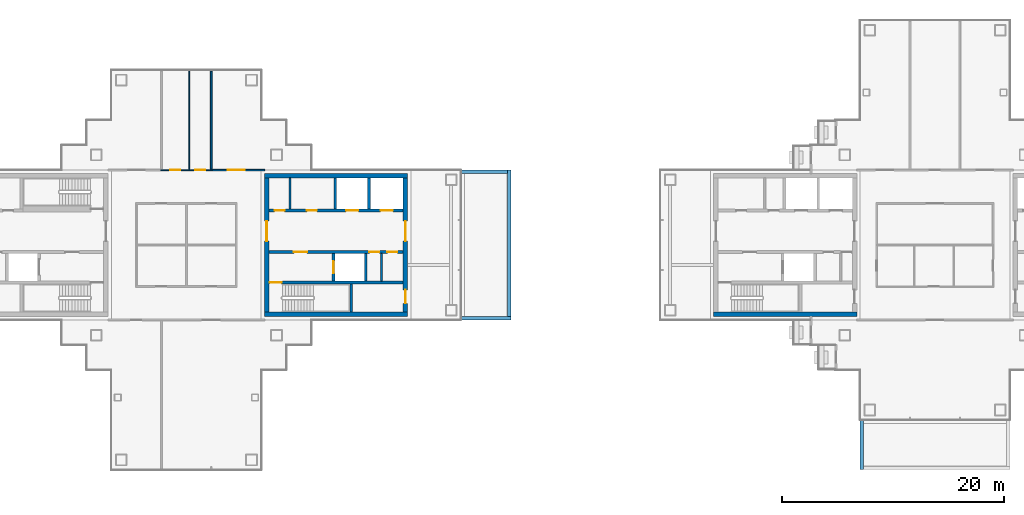
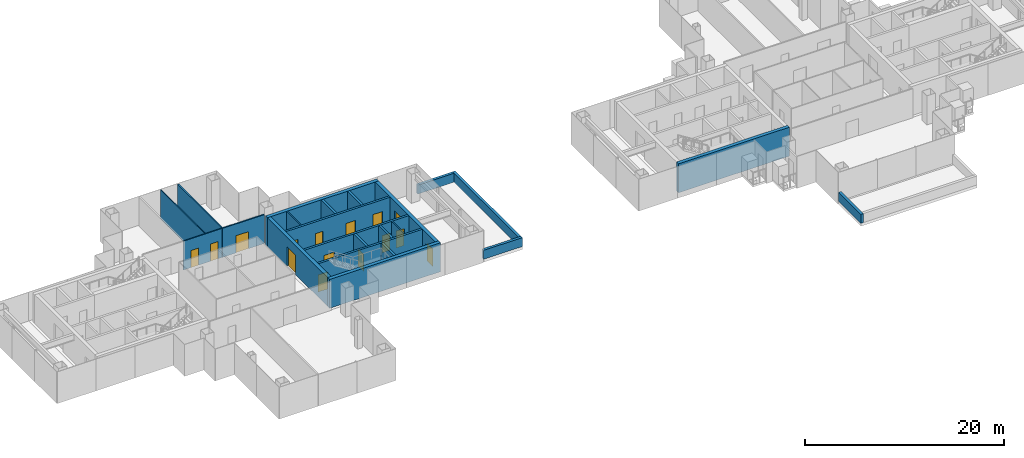
# One storey, part 10 of 16: 23 walls, 15 doors, 15 openings.
"""IFC4 building model written with IfcOpenShell, lengths in metres."""

from ifc_helpers import new_model, si_unit, direction, frame, frame_2d, origin, place, context, subcontext, project, spatial, rectangle, extrude, material, layer, layer_set, type_object, element, fill, save


model = new_model("IFC4")

# Units and contexts
model_context = context("Model", 3, precision=1e-05, world=origin(), true_north=direction((0.0, 1.0)))
body_context = subcontext(model_context, "Body", "Model", "MODEL_VIEW")
ifc_project = project(units=[si_unit("LENGTHUNIT", "METRE"), si_unit("AREAUNIT", "SQUARE_METRE"), si_unit("VOLUMEUNIT", "CUBIC_METRE"), si_unit("PLANEANGLEUNIT", "RADIAN"), si_unit("MASSUNIT", "GRAM", prefix="KILO")], contexts=[model_context])

# Site, building, storey
site_placement = place(None, origin())
site = spatial("IfcSite", under=ifc_project, at=site_placement, CompositionType="ELEMENT")
building_placement = place(site_placement, origin())
building = spatial("IfcBuilding", under=site, at=building_placement, Name="Shamsa Quay Exchange Towers", CompositionType="ELEMENT")
storey_placement = place(building_placement, frame((0.0, 0.0, 182.699951171875)))
storey = spatial("IfcBuildingStorey", under=building, at=storey_placement, Name="L43", CompositionType="ELEMENT", Elevation=182.699951171875)

# Walls
ifc_material_1 = material(Name="Concrete C60/75", Category="concrete")
ifc_layer_1 = layer(ifc_material_1, 0.39990234375)
ifc_layer_set_1 = layer_set([ifc_layer_1], Name="CORE WALL 400 C60/75")
wall_type_1 = type_object("IfcWallType", Name="CORE WALL 400 C60/75", PredefinedType="SHEAR", material=ifc_layer_set_1)
for number, where, name in (
    (1, (-26.699951171875, -6.25, 0.0), "Core wall T1A-R20-PS"),
    (2, (-26.699951171875, 6.25, 0.0), "Core wall T1A-R20-PN"),
):
    element("IfcWall", number, at=place(storey_placement, frame(where)), inside=storey, type_object=wall_type_1, Name=name, PredefinedType="SHEAR", context=body_context, shape_type="SweptSolid", body=[
        extrude(rectangle(XDim=12.89990234375, YDim=0.39990234375, at=frame_2d((6.449951171875, 0.0))), origin(), (0.0, 0.0, 1.0), 3.550048828125),
    ])

# Wall, opening, door
wall_1_placement = place(storey_placement, frame((-26.5, 6.050048828125, 0.0), z_axis=(0.0, 0.0, 1.0), x_axis=(0.0, -1.0, 0.0)))
wall_1 = element("IfcWall", 3, at=wall_1_placement, inside=storey, type_object=wall_type_1, Name="Core wall T1A-R20-PF", PredefinedType="SHEAR", context=body_context, shape_type="SweptSolid", body=[
    extrude(rectangle(XDim=12.10009765625, YDim=0.39990234375, at=frame_2d((6.050048828125, 0.0))), origin(), (0.0, 0.0, 1.0), 3.550048828125),
])
opening_1_placement = place(wall_1_placement, frame((3.89990234375, 0.0, 0.0)))
opening_1 = element("IfcOpeningElement", 4, at=opening_1_placement, cuts=wall_1, Name="Opening T1A-R20-LBD01", PredefinedType="OPENING", context=body_context, shape_type="SweptSolid", body=[
    extrude(rectangle(XDim=1.800048828125, YDim=2.39990234375, at=frame_2d((0.89990234375, 1.199951171875))), frame((0.0, 0.2099609375, 0.0), z_axis=(0.0, -1.0, 0.0), x_axis=(1.0, 0.0, 0.0)), (0.0, 0.0, 1.0), 0.419921875),
])
ifc_material_2 = material(Name="Steel, fire rated", Category="steel")
door_type_1 = type_object("IfcDoorType", Name="LIFT LOBBY DOOR PAIR 1800", OperationType="DOUBLE_DOOR_SINGLE_SWING", PredefinedType="DOOR", material=ifc_material_2)
door_1_placement = place(opening_1_placement, origin())
door_1 = element("IfcDoor", 5, at=door_1_placement, inside=storey, type_object=door_type_1, Name="T1A-R20-LBD01", OperationType="DOUBLE_DOOR_SINGLE_SWING", OverallHeight=2.39990234375, OverallWidth=1.800048828125, PredefinedType="DOOR", context=body_context, shape_type="SweptSolid", body=[
    extrude(rectangle(XDim=1.800048828125, YDim=2.39990234375, at=frame_2d((0.89990234375, 1.199951171875))), frame((0.0, 0.02490234375, 0.0), z_axis=(0.0, -1.0, 0.0), x_axis=(1.0, 0.0, 0.0)), (0.0, 0.0, 1.0), 0.050048828125),
])
fill(opening_1, door_1)

# Wall, openings, doors
wall_2_placement = place(storey_placement, frame((-14.0, 6.050048828125, 0.0), z_axis=(0.0, 0.0, 1.0), x_axis=(0.0, -1.0, 0.0)))
wall_2 = element("IfcWall", 6, at=wall_2_placement, inside=storey, type_object=wall_type_1, Name="Core wall T1A-R20-PB", PredefinedType="SHEAR", context=body_context, shape_type="SweptSolid", body=[
    extrude(rectangle(XDim=12.10009765625, YDim=0.39990234375, at=frame_2d((6.050048828125, 0.0))), origin(), (0.0, 0.0, 1.0), 3.550048828125),
])
opening_2_placement = place(wall_2_placement, frame((10.10009765625, 0.0, 0.0)))
opening_2 = element("IfcOpeningElement", 7, at=opening_2_placement, cuts=wall_2, Name="Opening T1A-R20-RD02", PredefinedType="OPENING", context=body_context, shape_type="SweptSolid", body=[
    extrude(rectangle(XDim=1.199951171875, YDim=2.10009765625, at=frame_2d((0.60009765625, 1.050048828125))), frame((0.0, 0.2099609375, 0.0), z_axis=(0.0, -1.0, 0.0), x_axis=(1.0, 0.0, 0.0)), (0.0, 0.0, 1.0), 0.419921875),
])
opening_3_placement = place(wall_2_placement, frame((3.89990234375, 0.0, 0.0)))
opening_3 = element("IfcOpeningElement", 8, at=opening_3_placement, cuts=wall_2, Name="Opening T1A-R20-LBD03", PredefinedType="OPENING", context=body_context, shape_type="SweptSolid", body=[
    extrude(rectangle(XDim=1.800048828125, YDim=2.39990234375, at=frame_2d((0.89990234375, 1.199951171875))), frame((0.0, 0.2099609375, 0.0), z_axis=(0.0, -1.0, 0.0), x_axis=(1.0, 0.0, 0.0)), (0.0, 0.0, 1.0), 0.419921875),
])
door_2_placement = place(opening_3_placement, origin())
door_2 = element("IfcDoor", 9, at=door_2_placement, inside=storey, type_object=door_type_1, Name="T1A-R20-LBD03", OperationType="DOUBLE_DOOR_SINGLE_SWING", OverallHeight=2.39990234375, OverallWidth=1.800048828125, PredefinedType="DOOR", context=body_context, shape_type="SweptSolid", body=[
    extrude(rectangle(XDim=1.800048828125, YDim=2.39990234375, at=frame_2d((0.89990234375, 1.199951171875))), frame((0.0, 0.02490234375, 0.0), z_axis=(0.0, -1.0, 0.0), x_axis=(1.0, 0.0, 0.0)), (0.0, 0.0, 1.0), 0.050048828125),
])
fill(opening_3, door_2)
door_type_2 = type_object("IfcDoorType", Name="RISER ACCESS DOOR 1200", OperationType="SINGLE_SWING_LEFT", PredefinedType="DOOR", material=ifc_material_2)
door_3_placement = place(opening_2_placement, origin())
door_3 = element("IfcDoor", 10, at=door_3_placement, inside=storey, type_object=door_type_2, Name="T1A-R20-RD02", OperationType="SINGLE_SWING_RIGHT", OverallHeight=2.10009765625, OverallWidth=1.199951171875, PredefinedType="DOOR", context=body_context, shape_type="SweptSolid", body=[
    extrude(rectangle(XDim=1.199951171875, YDim=2.10009765625, at=frame_2d((0.60009765625, 1.050048828125))), frame((0.0, 0.02490234375, 0.0), z_axis=(0.0, -1.0, 0.0), x_axis=(1.0, 0.0, 0.0)), (0.0, 0.0, 1.0), 0.050048828125),
])
fill(opening_2, door_3)

# Walls
wall_3_placement = place(storey_placement, frame((13.800048828125, -6.25, 0.0)))
element("IfcWall", 11, at=wall_3_placement, inside=storey, type_object=wall_type_1, Name="Core wall T2A-R20-PS", PredefinedType="SHEAR", context=body_context, shape_type="SweptSolid", body=[
    extrude(rectangle(XDim=12.89990234375, YDim=0.39990234375, at=frame_2d((6.449951171875, 0.0))), origin(), (0.0, 0.0, 1.0), 3.550048828125),
])
ifc_material_3 = material(Name="Gypsum board on steel studs, EI 60", Category="steel")
ifc_layer_2 = layer(ifc_material_3, 0.14990234375)
ifc_layer_set_2 = layer_set([ifc_layer_2], Name="FIRE PARTITION 150")
wall_type_2 = type_object("IfcWallType", Name="FIRE PARTITION 150", PredefinedType="PARTITIONING", material=ifc_layer_set_2)
wall_4_placement = place(storey_placement, frame((-16.14990234375, -3.25, 0.0), z_axis=(0.0, 0.0, 1.0), x_axis=(0.0, 1.0, 0.0)))
element("IfcWall", 12, at=wall_4_placement, inside=storey, type_object=wall_type_2, Name="Partition T1A-R20-EC0", PredefinedType="PARTITIONING", context=body_context, shape_type="SweptSolid", body=[
    extrude(rectangle(XDim=2.5, YDim=0.14990234375, at=frame_2d((1.25, 0.0))), origin(), (0.0, 0.0, 1.0), 3.550048828125),
])
wall_5_placement = place(storey_placement, frame((-24.39990234375, 3.25, 0.0), z_axis=(0.0, 0.0, 1.0), x_axis=(0.0, 1.0, 0.0)))
element("IfcWall", 13, at=wall_5_placement, inside=storey, type_object=wall_type_2, Name="Partition T1A-R20-FC0", PredefinedType="PARTITIONING", context=body_context, shape_type="SweptSolid", body=[
    extrude(rectangle(XDim=2.800048828125, YDim=0.14990234375, at=frame_2d((1.39990234375, 0.0))), origin(), (0.0, 0.0, 1.0), 3.550048828125),
])

# Wall, openings, doors
ifc_material_4 = material(Name="Gypsum board partition on metal studs")
ifc_layer_3 = layer(ifc_material_4, 0.10009765625)
ifc_layer_set_3 = layer_set([ifc_layer_3], Name="Partition 100 mm NOT RATED")
wall_type_3 = type_object("IfcWallType", Name="Partition 100 mm NOT RATED", PredefinedType="PARTITIONING", material=ifc_layer_set_3)
wall_6_placement = place(storey_placement, frame((-36.074951171875, 6.75, 0.0)))
wall_6 = element("IfcWall", 14, at=wall_6_placement, inside=storey, type_object=wall_type_3, Name="Partition T1-R20-W07", PredefinedType="PARTITIONING", context=body_context, shape_type="SweptSolid", body=[
    extrude(rectangle(XDim=4.64990234375, YDim=0.10009765625, at=frame_2d((2.324951171875, 0.0))), origin(), (0.0, 0.0, 1.0), 3.550048828125),
])
opening_4_placement = place(wall_6_placement, frame((0.875, 0.0, 0.0)))
opening_4 = element("IfcOpeningElement", 15, at=opening_4_placement, cuts=wall_6, Name="Opening T1-R20-D04", PredefinedType="OPENING", context=body_context, shape_type="SweptSolid", body=[
    extrude(rectangle(XDim=0.89990234375, YDim=2.10009765625, at=frame_2d((0.449951171875, 1.050048828125))), frame((0.0, 0.06005859375, 0.0), z_axis=(0.0, -1.0, 0.0), x_axis=(1.0, 0.0, 0.0)), (0.0, 0.0, 1.0), 0.1201171875),
])
opening_5_placement = place(wall_6_placement, frame((3.125, 0.0, 0.0)))
opening_5 = element("IfcOpeningElement", 16, at=opening_5_placement, cuts=wall_6, Name="Opening T1-R20-D05", PredefinedType="OPENING", context=body_context, shape_type="SweptSolid", body=[
    extrude(rectangle(XDim=0.89990234375, YDim=2.10009765625, at=frame_2d((0.449951171875, 1.050048828125))), frame((0.0, 0.06005859375, 0.0), z_axis=(0.0, -1.0, 0.0), x_axis=(1.0, 0.0, 0.0)), (0.0, 0.0, 1.0), 0.1201171875),
])
ifc_material_5 = material(Name="Timber door leaf in a metal frame", Category="wood")
door_type_3 = type_object("IfcDoorType", Name="Door 900x2100 NOT RATED", OperationType="NOTDEFINED", PredefinedType="DOOR", material=ifc_material_5)
door_4_placement = place(opening_4_placement, origin())
door_4 = element("IfcDoor", 17, at=door_4_placement, inside=storey, type_object=door_type_3, Name="Door T1-R20-D04", OperationType="SINGLE_SWING_RIGHT", OverallHeight=2.10009765625, OverallWidth=0.89990234375, PredefinedType="DOOR", context=body_context, shape_type="SweptSolid", body=[
    extrude(rectangle(XDim=0.89990234375, YDim=2.10009765625, at=frame_2d((0.449951171875, 1.050048828125))), frame((0.0, 0.02490234375, 0.0), z_axis=(0.0, -1.0, 0.0), x_axis=(1.0, 0.0, 0.0)), (0.0, 0.0, 1.0), 0.050048828125),
])
fill(opening_4, door_4)
door_5_placement = place(opening_5_placement, origin())
door_5 = element("IfcDoor", 18, at=door_5_placement, inside=storey, type_object=door_type_3, Name="Door T1-R20-D05", OperationType="SINGLE_SWING_RIGHT", OverallHeight=2.10009765625, OverallWidth=0.89990234375, PredefinedType="DOOR", context=body_context, shape_type="SweptSolid", body=[
    extrude(rectangle(XDim=0.89990234375, YDim=2.10009765625, at=frame_2d((0.449951171875, 1.050048828125))), frame((0.0, 0.02490234375, 0.0), z_axis=(0.0, -1.0, 0.0), x_axis=(1.0, 0.0, 0.0)), (0.0, 0.0, 1.0), 0.050048828125),
])
fill(opening_5, door_5)

# Wall
wall_7_placement = place(storey_placement, frame((-33.5, 6.800048828125, 0.0), z_axis=(0.0, 0.0, 1.0), x_axis=(0.0, 1.0, 0.0)))
element("IfcWall", 19, at=wall_7_placement, inside=storey, type_object=wall_type_3, Name="Partition T1-R20-W13", PredefinedType="PARTITIONING", context=body_context, shape_type="SweptSolid", body=[
    extrude(rectangle(XDim=8.85498046875, YDim=0.10009765625, at=frame_2d((4.427490234375, 0.0))), origin(), (0.0, 0.0, 1.0), 3.550048828125),
])

# Wall, opening, door
ifc_layer_4 = layer(ifc_material_4, 0.14990234375)
ifc_layer_set_4 = layer_set([ifc_layer_4], Name="Partition 150 mm EI 60")
wall_type_4 = type_object("IfcWallType", Name="Partition 150 mm EI 60", PredefinedType="PARTITIONING", material=ifc_layer_set_4)
wall_8_placement = place(storey_placement, frame((-31.574951171875, 6.75, 0.0)))
wall_8 = element("IfcWall", 20, at=wall_8_placement, inside=storey, type_object=wall_type_4, Name="Partition T1-R20-W06", PredefinedType="PARTITIONING", context=body_context, shape_type="SweptSolid", body=[
    extrude(rectangle(XDim=4.875, YDim=0.14990234375, at=frame_2d((2.4375, 0.0))), origin(), (0.0, 0.0, 1.0), 3.550048828125),
])
opening_6_placement = place(wall_8_placement, frame((1.574951171875, 0.0, 0.0)))
opening_6 = element("IfcOpeningElement", 21, at=opening_6_placement, cuts=wall_8, Name="Opening T1-R20-D06", PredefinedType="OPENING", context=body_context, shape_type="SweptSolid", body=[
    extrude(rectangle(XDim=1.5, YDim=2.10009765625, at=frame_2d((0.75, 1.050048828125))), frame((0.0, 0.0849609375, 0.0), z_axis=(0.0, -1.0, 0.0), x_axis=(1.0, 0.0, 0.0)), (0.0, 0.0, 1.0), 0.169921875),
])
door_type_4 = type_object("IfcDoorType", Name="Door 1500x2100 FD30S pair", OperationType="NOTDEFINED", PredefinedType="DOOR", material=ifc_material_5)
door_6_placement = place(opening_6_placement, origin())
door_6 = element("IfcDoor", 22, at=door_6_placement, inside=storey, type_object=door_type_4, Name="Door T1-R20-D06", OperationType="DOUBLE_DOOR_SINGLE_SWING", OverallHeight=2.10009765625, OverallWidth=1.5, PredefinedType="DOOR", context=body_context, shape_type="SweptSolid", body=[
    extrude(rectangle(XDim=1.5, YDim=2.10009765625, at=frame_2d((0.75, 1.050048828125))), frame((0.0, 0.02490234375, 0.0), z_axis=(0.0, -1.0, 0.0), x_axis=(1.0, 0.0, 0.0)), (0.0, 0.0, 1.0), 0.050048828125),
])
fill(opening_6, door_6)

# Walls
wall_9_placement = place(storey_placement, frame((-31.5, 6.824951171875, 0.0), z_axis=(0.0, 0.0, 1.0), x_axis=(0.0, 1.0, 0.0)))
element("IfcWall", 23, at=wall_9_placement, inside=storey, type_object=wall_type_4, Name="Partition T1-R20-W14", PredefinedType="PARTITIONING", context=body_context, shape_type="SweptSolid", body=[
    extrude(rectangle(XDim=8.830078125, YDim=0.14990234375, at=frame_2d((4.4150390625, 0.0))), origin(), (0.0, 0.0, 1.0), 3.550048828125),
])
ifc_material_6 = material(Name="Reinforced concrete C30/37", Category="concrete")
ifc_layer_5 = layer(ifc_material_6, 0.300048828125)
ifc_layer_set_5 = layer_set([ifc_layer_5], Name="ROOF PARAPET 300 C30/37")
wall_type_5 = type_object("IfcWallType", Name="ROOF PARAPET 300 C30/37", PredefinedType="PARAPET", material=ifc_layer_set_5)
wall_10_placement = place(storey_placement, frame((-9.0, -6.60009765625, 0.0)))
element("IfcWall", 24, at=wall_10_placement, inside=storey, type_object=wall_type_5, Name="Parapet L42 1", PredefinedType="PARAPET", context=body_context, shape_type="SweptSolid", body=[
    extrude(rectangle(XDim=4.5, YDim=0.300048828125, at=frame_2d((2.25, 0.0))), origin(), (0.0, 0.0, 1.0), 1.10009765625),
])
wall_11_placement = place(storey_placement, frame((-4.64990234375, -6.449951171875, 0.0), z_axis=(0.0, 0.0, 1.0), x_axis=(0.0, 1.0, 0.0)))
element("IfcWall", 25, at=wall_11_placement, inside=storey, type_object=wall_type_5, Name="Parapet L42 2", PredefinedType="PARAPET", context=body_context, shape_type="SweptSolid", body=[
    extrude(rectangle(XDim=13.199951171875, YDim=0.300048828125, at=frame_2d((6.60009765625, 0.0))), origin(), (0.0, 0.0, 1.0), 1.10009765625),
])
wall_12_placement = place(storey_placement, frame((-4.800048828125, 6.60009765625, 0.0), z_axis=(0.0, 0.0, 1.0), x_axis=(-1.0, 0.0, 0.0)))
element("IfcWall", 26, at=wall_12_placement, inside=storey, type_object=wall_type_5, Name="Parapet L42 3", PredefinedType="PARAPET", context=body_context, shape_type="SweptSolid", body=[
    extrude(rectangle(XDim=4.199951171875, YDim=0.300048828125, at=frame_2d((2.10009765625, 0.0))), origin(), (0.0, 0.0, 1.0), 1.10009765625),
])
wall_13_placement = place(storey_placement, frame((27.14990234375, -15.75, 0.0), z_axis=(0.0, 0.0, 1.0), x_axis=(0.0, -1.0, 0.0)))
element("IfcWall", 27, at=wall_13_placement, inside=storey, type_object=wall_type_5, Name="Parapet L42 1", PredefinedType="PARAPET", context=body_context, shape_type="SweptSolid", body=[
    extrude(rectangle(XDim=4.5, YDim=0.300048828125, at=frame_2d((2.25, 0.0))), origin(), (0.0, 0.0, 1.0), 1.10009765625),
])

# Wall, opening, door
ifc_material_7 = material(Name="Concrete C50/60", Category="concrete")
ifc_layer_6 = layer(ifc_material_7, 0.25)
ifc_layer_set_6 = layer_set([ifc_layer_6], Name="SHAFT WALL 250 C50/60")
wall_type_6 = type_object("IfcWallType", Name="SHAFT WALL 250 C50/60", PredefinedType="SHEAR", material=ifc_layer_set_6)
wall_14_placement = place(storey_placement, frame((-14.199951171875, -3.375, 0.0), z_axis=(0.0, 0.0, 1.0), x_axis=(-1.0, 0.0, 0.0)))
wall_14 = element("IfcWall", 28, at=wall_14_placement, inside=storey, type_object=wall_type_6, Name="Shaft wall T1A-R20-STL", PredefinedType="SHEAR", context=body_context, shape_type="SweptSolid", body=[
    extrude(rectangle(XDim=12.10009765625, YDim=0.25, at=frame_2d((6.050048828125, 0.0))), origin(), (0.0, 0.0, 1.0), 3.550048828125),
])
opening_7_placement = place(wall_14_placement, frame((10.949951171875, 0.0, 0.0)))
opening_7 = element("IfcOpeningElement", 29, at=opening_7_placement, cuts=wall_14, Name="Opening T1A-R20-SD04", PredefinedType="OPENING", context=body_context, shape_type="SweptSolid", body=[
    extrude(rectangle(XDim=1.10009765625, YDim=2.10009765625, at=frame_2d((0.550048828125, 1.050048828125))), frame((0.0, 0.135009765625, 0.0), z_axis=(0.0, -1.0, 0.0), x_axis=(1.0, 0.0, 0.0)), (0.0, 0.0, 1.0), 0.27001953125),
])
door_type_5 = type_object("IfcDoorType", Name="STAIR DOOR 1100", OperationType="SINGLE_SWING_LEFT", PredefinedType="DOOR", material=ifc_material_2)
door_7_placement = place(opening_7_placement, origin())
door_7 = element("IfcDoor", 30, at=door_7_placement, inside=storey, type_object=door_type_5, Name="T1A-R20-SD04", OperationType="SINGLE_SWING_RIGHT", OverallHeight=2.10009765625, OverallWidth=1.10009765625, PredefinedType="DOOR", context=body_context, shape_type="SweptSolid", body=[
    extrude(rectangle(XDim=1.10009765625, YDim=2.10009765625, at=frame_2d((0.550048828125, 1.050048828125))), frame((0.0, 0.02490234375, 0.0), z_axis=(0.0, -1.0, 0.0), x_axis=(1.0, 0.0, 0.0)), (0.0, 0.0, 1.0), 0.050048828125),
])
fill(opening_7, door_7)

# Wall
wall_15_placement = place(storey_placement, frame((-18.875, -6.050048828125, 0.0), z_axis=(0.0, 0.0, 1.0), x_axis=(0.0, 1.0, 0.0)))
element("IfcWall", 31, at=wall_15_placement, inside=storey, type_object=wall_type_6, Name="Shaft wall T1A-R20-STF", PredefinedType="SHEAR", context=body_context, shape_type="SweptSolid", body=[
    extrude(rectangle(XDim=2.550048828125, YDim=0.25, at=frame_2d((1.27490234375, 0.0))), origin(), (0.0, 0.0, 1.0), 3.550048828125),
])

# Wall, openings, doors
wall_16_placement = place(storey_placement, frame((-14.199951171875, -0.625, 0.0), z_axis=(0.0, 0.0, 1.0), x_axis=(-1.0, 0.0, 0.0)))
wall_16 = element("IfcWall", 32, at=wall_16_placement, inside=storey, type_object=wall_type_6, Name="Shaft wall T1A-R20-B", PredefinedType="SHEAR", context=body_context, shape_type="SweptSolid", body=[
    extrude(rectangle(XDim=12.10009765625, YDim=0.25, at=frame_2d((6.050048828125, 0.0))), origin(), (0.0, 0.0, 1.0), 3.550048828125),
])
opening_8_placement = place(wall_16_placement, frame((8.64990234375, 0.0, 0.0)))
opening_8 = element("IfcOpeningElement", 33, at=opening_8_placement, cuts=wall_16, Name="Opening T1A-R20-FD05", PredefinedType="OPENING", context=body_context, shape_type="SweptSolid", body=[
    extrude(rectangle(XDim=1.199951171875, YDim=2.10009765625, at=frame_2d((0.60009765625, 1.050048828125))), frame((0.0, 0.135009765625, 0.0), z_axis=(0.0, -1.0, 0.0), x_axis=(1.0, 0.0, 0.0)), (0.0, 0.0, 1.0), 0.27001953125),
])
opening_9_placement = place(wall_16_placement, frame((2.14990234375, 0.0, 0.0)))
opening_9 = element("IfcOpeningElement", 34, at=opening_9_placement, cuts=wall_16, Name="Opening T1A-R20-SV06", PredefinedType="OPENING", context=body_context, shape_type="SweptSolid", body=[
    extrude(rectangle(XDim=0.89990234375, YDim=2.10009765625, at=frame_2d((0.449951171875, 1.050048828125))), frame((0.0, 0.135009765625, 0.0), z_axis=(0.0, -1.0, 0.0), x_axis=(1.0, 0.0, 0.0)), (0.0, 0.0, 1.0), 0.27001953125),
])
opening_10_placement = place(wall_16_placement, frame((0.52490234375, 0.0, 0.0)))
opening_10 = element("IfcOpeningElement", 35, at=opening_10_placement, cuts=wall_16, Name="Opening T1A-R20-SV07", PredefinedType="OPENING", context=body_context, shape_type="SweptSolid", body=[
    extrude(rectangle(XDim=0.89990234375, YDim=2.10009765625, at=frame_2d((0.449951171875, 1.050048828125))), frame((0.0, 0.135009765625, 0.0), z_axis=(0.0, -1.0, 0.0), x_axis=(1.0, 0.0, 0.0)), (0.0, 0.0, 1.0), 0.27001953125),
])
door_type_6 = type_object("IfcDoorType", Name="FIRE SERVICE LOBBY DOOR 1200", OperationType="SINGLE_SWING_LEFT", PredefinedType="DOOR", material=ifc_material_2)
door_8_placement = place(opening_8_placement, origin())
door_8 = element("IfcDoor", 36, at=door_8_placement, inside=storey, type_object=door_type_6, Name="T1A-R20-FD05", OperationType="SINGLE_SWING_RIGHT", OverallHeight=2.10009765625, OverallWidth=1.199951171875, PredefinedType="DOOR", context=body_context, shape_type="SweptSolid", body=[
    extrude(rectangle(XDim=1.199951171875, YDim=2.10009765625, at=frame_2d((0.60009765625, 1.050048828125))), frame((0.0, 0.02490234375, 0.0), z_axis=(0.0, -1.0, 0.0), x_axis=(1.0, 0.0, 0.0)), (0.0, 0.0, 1.0), 0.050048828125),
])
fill(opening_8, door_8)
door_type_7 = type_object("IfcDoorType", Name="SERVICE ROOM DOOR 900", OperationType="SINGLE_SWING_LEFT", PredefinedType="DOOR", material=ifc_material_2)
door_9_placement = place(opening_9_placement, origin())
door_9 = element("IfcDoor", 37, at=door_9_placement, inside=storey, type_object=door_type_7, Name="T1A-R20-SV06", OperationType="SINGLE_SWING_LEFT", OverallHeight=2.10009765625, OverallWidth=0.89990234375, PredefinedType="DOOR", context=body_context, shape_type="SweptSolid", body=[
    extrude(rectangle(XDim=0.89990234375, YDim=2.10009765625, at=frame_2d((0.449951171875, 1.050048828125))), frame((0.0, 0.02490234375, 0.0), z_axis=(0.0, -1.0, 0.0), x_axis=(1.0, 0.0, 0.0)), (0.0, 0.0, 1.0), 0.050048828125),
])
fill(opening_9, door_9)
door_10_placement = place(opening_10_placement, origin())
door_10 = element("IfcDoor", 38, at=door_10_placement, inside=storey, type_object=door_type_7, Name="T1A-R20-SV07", OperationType="SINGLE_SWING_LEFT", OverallHeight=2.10009765625, OverallWidth=0.89990234375, PredefinedType="DOOR", context=body_context, shape_type="SweptSolid", body=[
    extrude(rectangle(XDim=0.89990234375, YDim=2.10009765625, at=frame_2d((0.449951171875, 1.050048828125))), frame((0.0, 0.02490234375, 0.0), z_axis=(0.0, -1.0, 0.0), x_axis=(1.0, 0.0, 0.0)), (0.0, 0.0, 1.0), 0.050048828125),
])
fill(opening_10, door_10)

# Wall, opening, door
wall_17_placement = place(storey_placement, frame((-20.47509765625, -3.25, 0.0), z_axis=(0.0, 0.0, 1.0), x_axis=(0.0, 1.0, 0.0)))
wall_17 = element("IfcWall", 39, at=wall_17_placement, inside=storey, type_object=wall_type_6, Name="Shaft wall T1A-R20-FFF", PredefinedType="SHEAR", context=body_context, shape_type="SweptSolid", body=[
    extrude(rectangle(XDim=2.5, YDim=0.25, at=frame_2d((1.25, 0.0))), origin(), (0.0, 0.0, 1.0), 3.550048828125),
])
opening_11_placement = place(wall_17_placement, frame((0.699951171875, 0.0, 0.0)))
opening_11 = element("IfcOpeningElement", 40, at=opening_11_placement, cuts=wall_17, Name="Opening T1A-R20-LDF08", PredefinedType="OPENING", context=body_context, shape_type="SweptSolid", body=[
    extrude(rectangle(XDim=1.10009765625, YDim=2.10009765625, at=frame_2d((0.550048828125, 1.050048828125))), frame((0.0, 0.135009765625, 0.0), z_axis=(0.0, -1.0, 0.0), x_axis=(1.0, 0.0, 0.0)), (0.0, 0.0, 1.0), 0.27001953125),
])
door_type_8 = type_object("IfcDoorType", Name="FIRE SERVICE LANDING DOOR 1100", OperationType="SLIDING_TO_LEFT", PredefinedType="DOOR", material=ifc_material_2)
door_11_placement = place(opening_11_placement, origin())
door_11 = element("IfcDoor", 41, at=door_11_placement, inside=storey, type_object=door_type_8, Name="T1A-R20-LDF08", OperationType="SLIDING_TO_LEFT", OverallHeight=2.10009765625, OverallWidth=1.10009765625, PredefinedType="DOOR", context=body_context, shape_type="SweptSolid", body=[
    extrude(rectangle(XDim=1.10009765625, YDim=2.10009765625, at=frame_2d((0.550048828125, 1.050048828125))), frame((0.0, 0.02490234375, 0.0), z_axis=(0.0, -1.0, 0.0), x_axis=(1.0, 0.0, 0.0)), (0.0, 0.0, 1.0), 0.050048828125),
])
fill(opening_11, door_11)

# Wall
wall_18_placement = place(storey_placement, frame((-17.574951171875, -3.25, 0.0), z_axis=(0.0, 0.0, 1.0), x_axis=(0.0, 1.0, 0.0)))
element("IfcWall", 42, at=wall_18_placement, inside=storey, type_object=wall_type_6, Name="Shaft wall T1A-R20-FFB", PredefinedType="SHEAR", context=body_context, shape_type="SweptSolid", body=[
    extrude(rectangle(XDim=2.5, YDim=0.25, at=frame_2d((1.25, 0.0))), origin(), (0.0, 0.0, 1.0), 3.550048828125),
])

# Wall, openings, doors
wall_19_placement = place(storey_placement, frame((-26.300048828125, 3.125, 0.0)))
wall_19 = element("IfcWall", 43, at=wall_19_placement, inside=storey, type_object=wall_type_6, Name="Shaft wall T1A-R20-N", PredefinedType="SHEAR", context=body_context, shape_type="SweptSolid", body=[
    extrude(rectangle(XDim=12.10009765625, YDim=0.25, at=frame_2d((6.050048828125, 0.0))), origin(), (0.0, 0.0, 1.0), 3.550048828125),
])
opening_12_placement = place(wall_19_placement, frame((6.949951171875, 0.0, 0.0)))
opening_12 = element("IfcOpeningElement", 44, at=opening_12_placement, cuts=wall_19, Name="Opening T1A-R20-LD09", PredefinedType="OPENING", context=body_context, shape_type="SweptSolid", body=[
    extrude(rectangle(XDim=1.10009765625, YDim=2.10009765625, at=frame_2d((0.550048828125, 1.050048828125))), frame((0.0, 0.135009765625, 0.0), z_axis=(0.0, -1.0, 0.0), x_axis=(1.0, 0.0, 0.0)), (0.0, 0.0, 1.0), 0.27001953125),
])
opening_13_placement = place(wall_19_placement, frame((10.074951171875, 0.0, 0.0)))
opening_13 = element("IfcOpeningElement", 45, at=opening_13_placement, cuts=wall_19, Name="Opening T1A-R20-LD10", PredefinedType="OPENING", context=body_context, shape_type="SweptSolid", body=[
    extrude(rectangle(XDim=1.10009765625, YDim=2.10009765625, at=frame_2d((0.550048828125, 1.050048828125))), frame((0.0, 0.135009765625, 0.0), z_axis=(0.0, -1.0, 0.0), x_axis=(1.0, 0.0, 0.0)), (0.0, 0.0, 1.0), 0.27001953125),
])
opening_14_placement = place(wall_19_placement, frame((0.5, 0.0, 0.0)))
opening_14 = element("IfcOpeningElement", 46, at=opening_14_placement, cuts=wall_19, Name="Opening T1A-R20-SV11", PredefinedType="OPENING", context=body_context, shape_type="SweptSolid", body=[
    extrude(rectangle(XDim=0.89990234375, YDim=2.10009765625, at=frame_2d((0.449951171875, 1.050048828125))), frame((0.0, 0.135009765625, 0.0), z_axis=(0.0, -1.0, 0.0), x_axis=(1.0, 0.0, 0.0)), (0.0, 0.0, 1.0), 0.27001953125),
])
opening_15_placement = place(wall_19_placement, frame((3.425048828125, 0.0, 0.0)))
opening_15 = element("IfcOpeningElement", 47, at=opening_15_placement, cuts=wall_19, Name="Opening T1A-R20-SV12", PredefinedType="OPENING", context=body_context, shape_type="SweptSolid", body=[
    extrude(rectangle(XDim=0.89990234375, YDim=2.10009765625, at=frame_2d((0.449951171875, 1.050048828125))), frame((0.0, 0.135009765625, 0.0), z_axis=(0.0, -1.0, 0.0), x_axis=(1.0, 0.0, 0.0)), (0.0, 0.0, 1.0), 0.27001953125),
])
door_type_9 = type_object("IfcDoorType", Name="LANDING DOOR 1100", OperationType="SLIDING_TO_LEFT", PredefinedType="DOOR", material=ifc_material_2)
door_12_placement = place(opening_12_placement, origin())
door_12 = element("IfcDoor", 48, at=door_12_placement, inside=storey, type_object=door_type_9, Name="T1A-R20-LD09", OperationType="SLIDING_TO_LEFT", OverallHeight=2.10009765625, OverallWidth=1.10009765625, PredefinedType="DOOR", context=body_context, shape_type="SweptSolid", body=[
    extrude(rectangle(XDim=1.10009765625, YDim=2.10009765625, at=frame_2d((0.550048828125, 1.050048828125))), frame((0.0, 0.02490234375, 0.0), z_axis=(0.0, -1.0, 0.0), x_axis=(1.0, 0.0, 0.0)), (0.0, 0.0, 1.0), 0.050048828125),
])
fill(opening_12, door_12)
door_13_placement = place(opening_13_placement, origin())
door_13 = element("IfcDoor", 49, at=door_13_placement, inside=storey, type_object=door_type_9, Name="T1A-R20-LD10", OperationType="SLIDING_TO_LEFT", OverallHeight=2.10009765625, OverallWidth=1.10009765625, PredefinedType="DOOR", context=body_context, shape_type="SweptSolid", body=[
    extrude(rectangle(XDim=1.10009765625, YDim=2.10009765625, at=frame_2d((0.550048828125, 1.050048828125))), frame((0.0, 0.02490234375, 0.0), z_axis=(0.0, -1.0, 0.0), x_axis=(1.0, 0.0, 0.0)), (0.0, 0.0, 1.0), 0.050048828125),
])
fill(opening_13, door_13)
door_14_placement = place(opening_14_placement, origin())
door_14 = element("IfcDoor", 50, at=door_14_placement, inside=storey, type_object=door_type_7, Name="T1A-R20-SV11", OperationType="SINGLE_SWING_LEFT", OverallHeight=2.10009765625, OverallWidth=0.89990234375, PredefinedType="DOOR", context=body_context, shape_type="SweptSolid", body=[
    extrude(rectangle(XDim=0.89990234375, YDim=2.10009765625, at=frame_2d((0.449951171875, 1.050048828125))), frame((0.0, 0.02490234375, 0.0), z_axis=(0.0, -1.0, 0.0), x_axis=(1.0, 0.0, 0.0)), (0.0, 0.0, 1.0), 0.050048828125),
])
fill(opening_14, door_14)
door_15_placement = place(opening_15_placement, origin())
door_15 = element("IfcDoor", 51, at=door_15_placement, inside=storey, type_object=door_type_7, Name="T1A-R20-SV12", OperationType="SINGLE_SWING_LEFT", OverallHeight=2.10009765625, OverallWidth=0.89990234375, PredefinedType="DOOR", context=body_context, shape_type="SweptSolid", body=[
    extrude(rectangle(XDim=0.89990234375, YDim=2.10009765625, at=frame_2d((0.449951171875, 1.050048828125))), frame((0.0, 0.02490234375, 0.0), z_axis=(0.0, -1.0, 0.0), x_axis=(1.0, 0.0, 0.0)), (0.0, 0.0, 1.0), 0.050048828125),
])
fill(opening_15, door_15)

# Walls
for number, where, z_axis, x_axis, name in (
    (52, (-20.324951171875, 3.25, 0.0), (0.0, 0.0, 1.0), (0.0, 1.0, 0.0), "Shaft wall T1A-R20-D1"),
    (53, (-17.27490234375, 3.25, 0.0), (0.0, 0.0, 1.0), (0.0, 1.0, 0.0), "Shaft wall T1A-R20-D2"),
):
    element("IfcWall", number, at=place(storey_placement, frame(where, z_axis=z_axis, x_axis=x_axis)), inside=storey, type_object=wall_type_6, Name=name, PredefinedType="SHEAR", context=body_context, shape_type="SweptSolid", body=[
        extrude(rectangle(XDim=2.800048828125, YDim=0.25, at=frame_2d((1.39990234375, 0.0))), origin(), (0.0, 0.0, 1.0), 3.550048828125),
    ])

save(model, "model.ifc")
